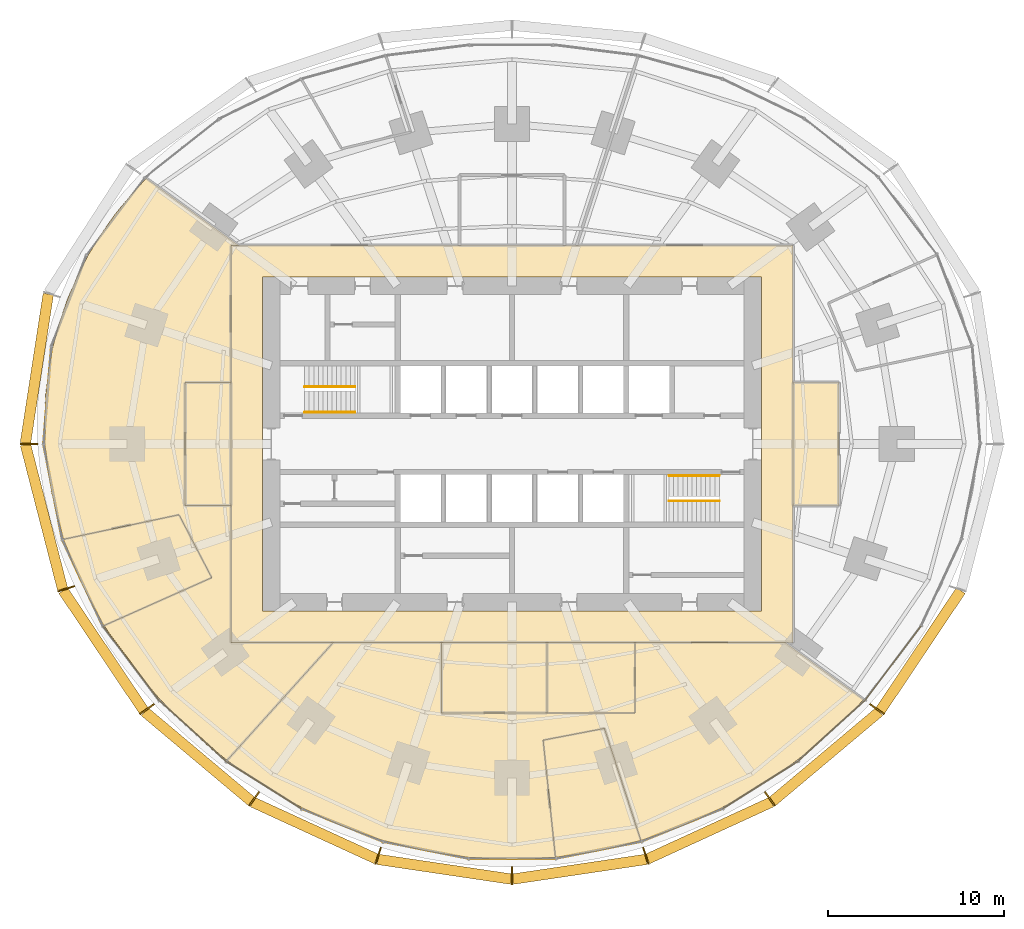
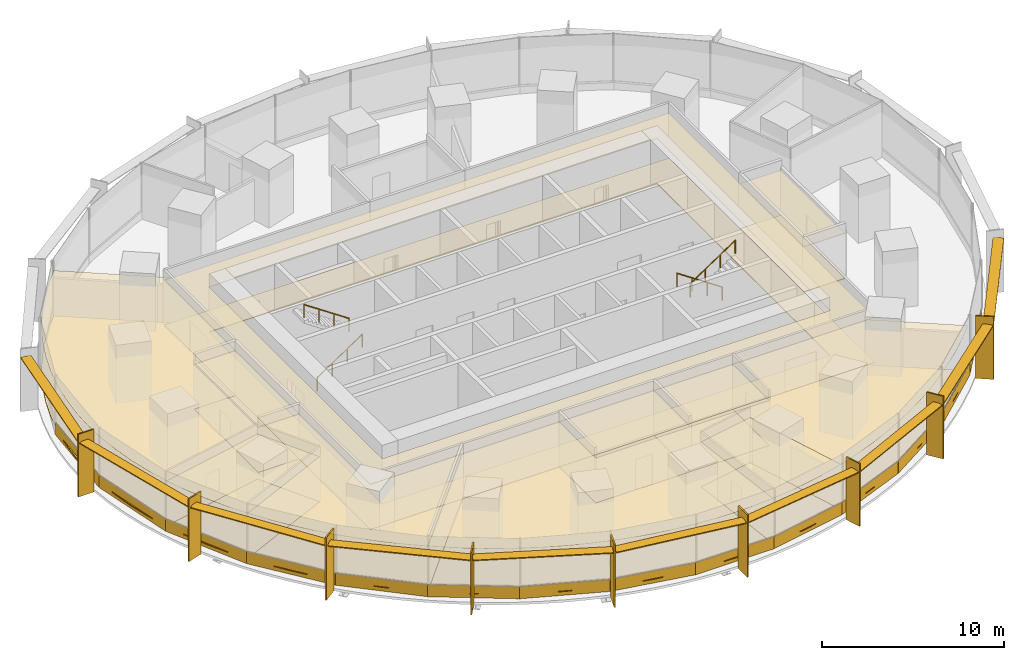
# One storey, part 14 of 15: 32 coverings, 19 shading devices, 4 railings.
"""IFC4 building model written with IfcOpenShell, lengths in metres."""

from ifc_helpers import new_model, si_unit, direction, frame, origin, origin_2d, place, context, subcontext, project, spatial, polyline, rectangle, circle, outline, extrude, material, layer, layer_set, type_object, element, save


model = new_model("IFC4")

# Units and contexts
model_context = context("Model", 3, precision=1e-05, world=origin(), true_north=direction((0.0, 1.0)))
body_context = subcontext(model_context, "Body", "Model", "MODEL_VIEW")
ifc_project = project(units=[si_unit("LENGTHUNIT", "METRE"), si_unit("AREAUNIT", "SQUARE_METRE"), si_unit("VOLUMEUNIT", "CUBIC_METRE"), si_unit("PLANEANGLEUNIT", "RADIAN"), si_unit("MASSUNIT", "GRAM", prefix="KILO")], contexts=[model_context])

# Site, building, storey
site_placement = place(None, origin())
site = spatial("IfcSite", under=ifc_project, at=site_placement, CompositionType="ELEMENT")
building_placement = place(site_placement, origin())
building = spatial("IfcBuilding", under=site, at=building_placement, Name="Marramba Exchange Tower", CompositionType="ELEMENT")
storey_placement = place(building_placement, frame((0.0, 0.0, 70.0)))
storey = spatial("IfcBuildingStorey", under=building, at=storey_placement, Name="L16", CompositionType="ELEMENT", Elevation=70.0)

# Shading devices
ifc_material_1 = material(Name="Aluminium blade, timber-look bronze finish", Category="wood")
ifc_layer_1 = layer(ifc_material_1, 0.080078125)
ifc_layer_set_1 = layer_set([ifc_layer_1], Name="Floor-edge blade 1000x80")
shading_device_type_1 = type_object("IfcShadingDeviceType", Name="Floor-edge blade 1000x80", PredefinedType="USERDEFINED", material=ifc_layer_set_1)
for number, where, z_axis, x_axis, name in (
    (1, (-27.5, 0.0, -0.16015625), (0.0, 0.0, 1.0), (-1.0, 0.0, 0.0), "Floor-edge blade FB1 L16 TC11"),
    (2, (-25.3740234375, -8.24462890625, -0.16015625), (0.0, 0.0, 1.0), (-0.951056516295, -0.309016994375, 0.0), "Floor-edge blade FB1 L16 TC12"),
    (3, (-20.773193359375, -15.092529296875, -0.16015625), (0.0, 0.0, 1.0), (-0.809016994375, -0.587785252292, 0.0), "Floor-edge blade FB1 L16 TC13"),
    (4, (-14.6787109375, -20.20361328125, -0.16015625), (0.0, 0.0, 1.0), (-0.587785252292, -0.809016994375, 0.0), "Floor-edge blade FB1 L16 TC14"),
    (5, (-7.61767578125, -23.444580078125, -0.16015625), (0.0, 0.0, 1.0), (-0.309016994375, -0.951056516295, 0.0), "Floor-edge blade FB1 L16 TC15"),
    (6, (0.0, -24.572021484375, -0.16015625), (0.0, 0.0, 1.0), (0.0, -1.0, 0.0), "Floor-edge blade FB1 L16 TC16"),
    (7, (7.61767578125, -23.444580078125, -0.16015625), (0.0, 0.0, 1.0), (0.309016994375, -0.951056516295, 0.0), "Floor-edge blade FB1 L16 TC17"),
    (8, (14.6787109375, -20.20361328125, -0.16015625), (0.0, 0.0, 1.0), (0.587785252292, -0.809016994375, 0.0), "Floor-edge blade FB1 L16 TC18"),
    (9, (20.773193359375, -15.092529296875, -0.16015625), (0.0, 0.0, 1.0), (0.809016994375, -0.587785252292, 0.0), "Floor-edge blade FB1 L16 TC19"),
):
    element("IfcShadingDevice", number, at=place(storey_placement, frame(where, z_axis=z_axis, x_axis=x_axis)), inside=storey, type_object=shading_device_type_1, Name=name, ObjectType="FIN", PredefinedType="USERDEFINED", context=body_context, shape_type="SweptSolid", body=[
        extrude(rectangle(XDim=1.0, YDim=0.080078125, at=origin_2d()), origin(), (0.0, 0.0, 1.0), 4.199951171875),
    ])

# Coverings
ifc_material_2 = material(Name="Steel raised access floor panels", Category="steel")
ifc_layer_2 = layer(ifc_material_2, 0.050048828125)
ifc_layer_set_2 = layer_set([ifc_layer_2], Name="Raised access floor 300")
covering_type_1 = type_object("IfcCoveringType", Name="Raised access floor 300", PredefinedType="FLOORING", material=ifc_layer_set_2)
covering_1_placement = place(storey_placement, frame((0.0, 0.0, 0.25)))
element("IfcCovering", 10, at=covering_1_placement, inside=storey, type_object=covering_type_1, Name="Raised access floor RAF1 L16 Trading Floor 2", PredefinedType="FLOORING", context=body_context, shape_type="SweptSolid", body=[
    extrude(outline(polyline([(-16.0, 3.5), (-18.60009765625, 3.5), (-18.60009765625, -3.5), (-16.0, -3.5), (-16.0, -11.300048828125), (-10.174560546875, -11.300048828125), (-16.21435546875, -18.0078125), (-17.213623046875, -17.213623046875), (-18.1826171875, -16.371826171875), (-19.119384765625, -15.482421875), (-20.020751953125, -14.5458984375), (-20.88427734375, -13.5625), (-21.7060546875, -12.531982421875), (-22.482177734375, -11.455322265625), (-23.208251953125, -10.3330078125), (-17.08740234375, -7.60791015625), (-18.952880859375, -4.028564453125), (-25.50634765625, -5.421630859375), (-25.9013671875, -4.102294921875), (-26.213623046875, -2.755126953125), (-26.43798828125, -1.385498046875), (-26.570068359375, 0.0), (-26.6064453125, 1.394287109375), (-26.544921875, 2.7900390625), (-26.3837890625, 4.1787109375), (-26.123291015625, 5.552734375), (-25.763916015625, 6.9033203125), (-25.30859375, 8.22314453125), (-24.76025390625, 9.50439453125), (-24.12353515625, 10.740478515625), (-23.40380859375, 11.9248046875), (-22.607177734375, 13.05224609375), (-21.740478515625, 14.118408203125), (-20.810791015625, 15.119873046875), (-16.409912109375, 11.922607421875), (-15.552978515625, 11.300048828125), (-16.0, 11.300048828125), (-16.0, 3.5)])), origin(), (0.0, 0.0, 1.0), 0.050048828125),
])
covering_2_placement = place(storey_placement, frame((0.0, 0.0, 0.25)))
element("IfcCovering", 11, at=covering_2_placement, inside=storey, type_object=covering_type_1, Name="Raised access floor RAF1 L16 Trading Floor 3", PredefinedType="FLOORING", context=body_context, shape_type="SweptSolid", body=[
    extrude(outline(polyline([(20.020751953125, -14.5458984375), (19.119384765625, -15.482421875), (18.1826171875, -16.371826171875), (17.213623046875, -17.213623046875), (16.21435546875, -18.0078125), (15.1865234375, -18.75390625), (14.132080078125, -19.451171875), (13.052490234375, -20.09912109375), (11.94921875, -20.69677734375), (10.82373046875, -21.242919921875), (9.677734375, -21.736328125), (8.512451171875, -22.17578125), (7.330078125, -22.56005859375), (5.259765625, -16.18798828125), (1.771728515625, -16.857177734375), (2.47216796875, -23.5205078125), (1.2373046875, -23.611572265625), (0.0, -23.64208984375), (-1.2373046875, -23.611572265625), (-2.47216796875, -23.5205078125), (-3.701416015625, -23.368896484375), (-4.92236328125, -23.15771484375), (-6.1328125, -22.8876953125), (-7.330078125, -22.56005859375), (-8.512451171875, -22.17578125), (-9.677734375, -21.736328125), (-10.82373046875, -21.242919921875), (-11.94921875, -20.69677734375), (-13.052490234375, -20.09912109375), (-14.132080078125, -19.451171875), (-15.1865234375, -18.75390625), (-16.21435546875, -18.0078125), (-10.174560546875, -11.300048828125), (-4.0, -11.300048828125), (-4.0, -15.300048828125), (2.0, -15.300048828125), (7.0, -15.300048828125), (7.0, -11.300048828125), (15.552978515625, -11.300048828125), (20.020751953125, -14.5458984375)])), origin(), (0.0, 0.0, 1.0), 0.050048828125),
])
covering_3_placement = place(storey_placement, frame((0.0, 0.0, 0.25)))
element("IfcCovering", 12, at=covering_3_placement, inside=storey, type_object=covering_type_1, Name="Raised access floor RAF1 L16 Corridor", PredefinedType="FLOORING", context=body_context, shape_type="SweptSolid", body=[
    extrude(outline(polyline([(-16.0, 11.300048828125), (16.0, 11.300048828125), (16.0, -11.300048828125), (-16.0, -11.300048828125), (-16.0, 11.300048828125)]), holes=[polyline([(-14.199951171875, 9.5), (-14.199951171875, -9.5), (14.199951171875, -9.5), (14.199951171875, 9.5), (-14.199951171875, 9.5)])]), origin(), (0.0, 0.0, 1.0), 0.050048828125),
])
covering_4_placement = place(storey_placement, frame((0.0, 0.0, 0.25)))
element("IfcCovering", 13, at=covering_4_placement, inside=storey, type_object=covering_type_1, Name="Raised access floor RAF1 L16 Firm Principal Office 2", PredefinedType="FLOORING", context=body_context, shape_type="SweptSolid", body=[
    extrude(outline(polyline([(-23.879150390625, -9.166259765625), (-24.489501953125, -7.95703125), (-24.8916015625, -7.0341796875), (-25.033935546875, -6.707763671875), (-25.50634765625, -5.421630859375), (-18.952880859375, -4.028564453125), (-17.08740234375, -7.60791015625), (-23.208251953125, -10.3330078125), (-23.879150390625, -9.166259765625)])), origin(), (0.0, 0.0, 1.0), 0.050048828125),
])
covering_5_placement = place(storey_placement, frame((0.0, 0.0, 0.25)))
element("IfcCovering", 14, at=covering_5_placement, inside=storey, type_object=covering_type_1, Name="Raised access floor RAF1 L16 Firm Principal Office 3", PredefinedType="FLOORING", context=body_context, shape_type="SweptSolid", body=[
    extrude(outline(polyline([(6.1328125, -22.8876953125), (5.89111328125, -22.941650390625), (4.92236328125, -23.15771484375), (4.17138671875, -23.28759765625), (3.701416015625, -23.368896484375), (2.47216796875, -23.5205078125), (1.771728515625, -16.857177734375), (5.259765625, -16.18798828125), (7.330078125, -22.56005859375), (6.1328125, -22.8876953125)])), origin(), (0.0, 0.0, 1.0), 0.050048828125),
])
covering_6_placement = place(storey_placement, frame((0.0, 0.0, 0.25)))
element("IfcCovering", 15, at=covering_6_placement, inside=storey, type_object=covering_type_1, Name="Raised access floor RAF1 L16 Data Room 1", PredefinedType="FLOORING", context=body_context, shape_type="SweptSolid", body=[
    extrude(outline(polyline([(18.60009765625, -3.5), (16.0, -3.5), (16.0, 3.5), (18.60009765625, 3.5), (18.60009765625, -3.5)])), origin(), (0.0, 0.0, 1.0), 0.050048828125),
])
covering_7_placement = place(storey_placement, frame((0.0, 0.0, 0.25)))
element("IfcCovering", 16, at=covering_7_placement, inside=storey, type_object=covering_type_1, Name="Raised access floor RAF1 L16 Data Room 2", PredefinedType="FLOORING", context=body_context, shape_type="SweptSolid", body=[
    extrude(outline(polyline([(-16.0, -3.5), (-18.60009765625, -3.5), (-18.60009765625, 3.5), (-16.0, 3.5), (-16.0, -3.5)])), origin(), (0.0, 0.0, 1.0), 0.050048828125),
])
covering_8_placement = place(storey_placement, frame((0.0, 0.0, 0.25)))
element("IfcCovering", 17, at=covering_8_placement, inside=storey, type_object=covering_type_1, Name="Raised access floor RAF1 L16 Meeting Room 2", PredefinedType="FLOORING", context=body_context, shape_type="SweptSolid", body=[
    extrude(outline(polyline([(2.0, -15.300048828125), (-4.0, -15.300048828125), (-4.0, -11.300048828125), (2.0, -11.300048828125), (2.0, -15.300048828125)])), origin(), (0.0, 0.0, 1.0), 0.050048828125),
])
covering_9_placement = place(storey_placement, frame((0.0, 0.0, 0.25)))
element("IfcCovering", 18, at=covering_9_placement, inside=storey, type_object=covering_type_1, Name="Raised access floor RAF1 L16 Pantry", PredefinedType="FLOORING", context=body_context, shape_type="SweptSolid", body=[
    extrude(outline(polyline([(7.0, -15.300048828125), (2.0, -15.300048828125), (2.0, -11.300048828125), (7.0, -11.300048828125), (7.0, -15.300048828125)])), origin(), (0.0, 0.0, 1.0), 0.050048828125),
])

# Shading devices
ifc_material_3 = material(Name="Aluminium sunshade, bronze anodised", Category="aluminium")
ifc_layer_3 = layer(ifc_material_3, 0.06005859375)
ifc_layer_set_3 = layer_set([ifc_layer_3], Name="SUNSHADE blade 600x60")
shading_device_type_2 = type_object("IfcShadingDeviceType", Name="SUNSHADE blade 600x60", PredefinedType="USERDEFINED", material=ifc_layer_set_3)
shading_device_1_placement = place(storey_placement, frame((-27.04150390625, 4.2861328125, 3.4599609375), z_axis=(0.0, 0.0, 1.0), x_axis=(-0.151825486228, -0.988407315701, 0.0)))
element("IfcShadingDevice", 19, at=shading_device_1_placement, inside=storey, type_object=shading_device_type_2, Name="Sunshade SS1 L16 bay 10", ObjectType="SUNSHADE", PredefinedType="USERDEFINED", context=body_context, shape_type="SweptSolid", body=[
    extrude(rectangle(XDim=8.593017578125, YDim=0.60009765625, at=origin_2d()), origin(), (0.0, 0.0, 1.0), 0.06005859375),
])
shading_device_2_placement = place(storey_placement, frame((-26.632080078125, -4.153076171875, 3.4599609375), z_axis=(0.0, 0.0, 1.0), x_axis=(0.249024641331, -0.968497149201, 0.0)))
element("IfcShadingDevice", 20, at=shading_device_2_placement, inside=storey, type_object=shading_device_type_2, Name="Sunshade SS1 L16 bay 11", ObjectType="SUNSHADE", PredefinedType="USERDEFINED", context=body_context, shape_type="SweptSolid", body=[
    extrude(rectangle(XDim=8.49658203125, YDim=0.60009765625, at=origin_2d()), origin(), (0.0, 0.0, 1.0), 0.06005859375),
])
shading_device_3_placement = place(storey_placement, frame((-23.24951171875, -11.75830078125, 3.4599609375), z_axis=(0.0, 0.0, 1.0), x_axis=(0.556924164761, -0.830563347798, 0.0)))
element("IfcShadingDevice", 21, at=shading_device_3_placement, inside=storey, type_object=shading_device_type_2, Name="Sunshade SS1 L16 bay 12", ObjectType="SUNSHADE", PredefinedType="USERDEFINED", context=body_context, shape_type="SweptSolid", body=[
    extrude(rectangle(XDim=8.232177734375, YDim=0.60009765625, at=origin_2d()), origin(), (0.0, 0.0, 1.0), 0.06005859375),
])
shading_device_4_placement = place(storey_placement, frame((-17.86572265625, -17.787841796875, 3.4599609375), z_axis=(0.0, 0.0, 1.0), x_axis=(0.765776068523, -0.643107310546, 0.0)))
element("IfcShadingDevice", 22, at=shading_device_4_placement, inside=storey, type_object=shading_device_type_2, Name="Sunshade SS1 L16 bay 13", ObjectType="SUNSHADE", PredefinedType="USERDEFINED", context=body_context, shape_type="SweptSolid", body=[
    extrude(rectangle(XDim=7.936279296875, YDim=0.60009765625, at=origin_2d()), origin(), (0.0, 0.0, 1.0), 0.06005859375),
])
shading_device_5_placement = place(storey_placement, frame((-11.23779296875, -22.0, 3.4599609375), z_axis=(0.0, 0.0, 1.0), x_axis=(0.908703542008, -0.417442059144, 0.0)))
element("IfcShadingDevice", 23, at=shading_device_5_placement, inside=storey, type_object=shading_device_type_2, Name="Sunshade SS1 L16 bay 14", ObjectType="SUNSHADE", PredefinedType="USERDEFINED", context=body_context, shape_type="SweptSolid", body=[
    extrude(rectangle(XDim=7.751953125, YDim=0.60009765625, at=origin_2d()), origin(), (0.0, 0.0, 1.0), 0.06005859375),
])
for number, where, z_axis, x_axis, name in (
    (24, (-3.839599609375, -24.203369140625, 3.4599609375), (0.0, 0.0, 1.0), (0.989212895923, -0.146484970356, 0.0), "Sunshade SS1 L16 bay 15"),
    (25, (3.839599609375, -24.203369140625, 3.4599609375), (0.0, 0.0, 1.0), (0.989212895923, 0.146484970356, 0.0), "Sunshade SS1 L16 bay 16"),
):
    element("IfcShadingDevice", number, at=place(storey_placement, frame(where, z_axis=z_axis, x_axis=x_axis)), inside=storey, type_object=shading_device_type_2, Name=name, ObjectType="SUNSHADE", PredefinedType="USERDEFINED", context=body_context, shape_type="SweptSolid", body=[
        extrude(rectangle(XDim=7.68310546875, YDim=0.60009765625, at=origin_2d()), origin(), (0.0, 0.0, 1.0), 0.06005859375),
    ])
shading_device_6_placement = place(storey_placement, frame((11.23779296875, -22.0, 3.4599609375), z_axis=(0.0, 0.0, 1.0), x_axis=(0.908703542008, 0.417442059144, 0.0)))
element("IfcShadingDevice", 26, at=shading_device_6_placement, inside=storey, type_object=shading_device_type_2, Name="Sunshade SS1 L16 bay 17", ObjectType="SUNSHADE", PredefinedType="USERDEFINED", context=body_context, shape_type="SweptSolid", body=[
    extrude(rectangle(XDim=7.751953125, YDim=0.60009765625, at=origin_2d()), origin(), (0.0, 0.0, 1.0), 0.06005859375),
])
shading_device_7_placement = place(storey_placement, frame((17.86572265625, -17.787841796875, 3.4599609375), z_axis=(0.0, 0.0, 1.0), x_axis=(0.765776068523, 0.643107310546, 0.0)))
element("IfcShadingDevice", 27, at=shading_device_7_placement, inside=storey, type_object=shading_device_type_2, Name="Sunshade SS1 L16 bay 18", ObjectType="SUNSHADE", PredefinedType="USERDEFINED", context=body_context, shape_type="SweptSolid", body=[
    extrude(rectangle(XDim=7.936279296875, YDim=0.60009765625, at=origin_2d()), origin(), (0.0, 0.0, 1.0), 0.06005859375),
])
shading_device_8_placement = place(storey_placement, frame((23.24951171875, -11.75830078125, 3.4599609375), z_axis=(0.0, 0.0, 1.0), x_axis=(0.556924164761, 0.830563347798, 0.0)))
element("IfcShadingDevice", 28, at=shading_device_8_placement, inside=storey, type_object=shading_device_type_2, Name="Sunshade SS1 L16 bay 19", ObjectType="SUNSHADE", PredefinedType="USERDEFINED", context=body_context, shape_type="SweptSolid", body=[
    extrude(rectangle(XDim=8.232177734375, YDim=0.60009765625, at=origin_2d()), origin(), (0.0, 0.0, 1.0), 0.06005859375),
])

# Coverings
ifc_material_4 = material(Name="Aluminium spandrel panel, bronze anodised, insulated", Category="aluminium")
ifc_layer_4 = layer(ifc_material_4, 0.050048828125)
ifc_layer_set_4 = layer_set([ifc_layer_4], Name="Spandrel panel 800")
covering_type_2 = type_object("IfcCoveringType", Name="Spandrel panel 800", PredefinedType="CLADDING", material=ifc_layer_set_4)
covering_10_placement = place(storey_placement, frame((-26.42578125, 2.78466796875, 0.0), z_axis=(0.0, 0.0, 1.0), x_axis=(-0.080275227657, -0.996772736297, 0.0)))
element("IfcCovering", 29, at=covering_10_placement, inside=storey, type_object=covering_type_2, Name="Spandrel panel SP1 L16 F15", PredefinedType="CLADDING", context=body_context, shape_type="SweptSolid", body=[
    extrude(rectangle(XDim=5.58740234375, YDim=0.050048828125, at=origin_2d()), origin(), (0.0, 0.0, 1.0), 0.800048828125),
])
covering_11_placement = place(storey_placement, frame((-26.117431640625, -2.718994140625, 0.0), z_axis=(0.0, 0.0, 1.0), x_axis=(0.19224858127, -0.981346260501, 0.0)))
element("IfcCovering", 30, at=covering_11_placement, inside=storey, type_object=covering_type_2, Name="Spandrel panel SP1 L16 F16", PredefinedType="CLADDING", context=body_context, shape_type="SweptSolid", body=[
    extrude(rectangle(XDim=5.54150390625, YDim=0.050048828125, at=origin_2d()), origin(), (0.0, 0.0, 1.0), 0.800048828125),
])
covering_12_placement = place(storey_placement, frame((-24.432861328125, -7.90185546875, 0.0), z_axis=(0.0, 0.0, 1.0), x_axis=(0.423477213559, -0.905906755464, 0.0)))
element("IfcCovering", 31, at=covering_12_placement, inside=storey, type_object=covering_type_2, Name="Spandrel panel SP1 L16 F17", PredefinedType="CLADDING", context=body_context, shape_type="SweptSolid", body=[
    extrude(rectangle(XDim=5.439208984375, YDim=0.050048828125, at=origin_2d()), origin(), (0.0, 0.0, 1.0), 0.800048828125),
])
covering_13_placement = place(storey_placement, frame((-21.683349609375, -12.479248046875, 0.0), z_axis=(0.0, 0.0, 1.0), x_axis=(0.603040469481, -0.797710594243, 0.0)))
element("IfcCovering", 32, at=covering_13_placement, inside=storey, type_object=covering_type_2, Name="Spandrel panel SP1 L16 F18", PredefinedType="CLADDING", context=body_context, shape_type="SweptSolid", body=[
    extrude(rectangle(XDim=5.299560546875, YDim=0.050048828125, at=origin_2d()), origin(), (0.0, 0.0, 1.0), 0.800048828125),
])
covering_14_placement = place(storey_placement, frame((-18.1767578125, -16.330078125, 0.0), z_axis=(0.0, 0.0, 1.0), x_axis=(0.739589582203, -0.673058132628, 0.0)))
element("IfcCovering", 33, at=covering_14_placement, inside=storey, type_object=covering_type_2, Name="Spandrel panel SP1 L16 F19", PredefinedType="CLADDING", context=body_context, shape_type="SweptSolid", body=[
    extrude(rectangle(XDim=5.161865234375, YDim=0.050048828125, at=origin_2d()), origin(), (0.0, 0.0, 1.0), 0.800048828125),
])
covering_15_placement = place(storey_placement, frame((-14.128662109375, -19.416748046875, 0.0), z_axis=(0.0, 0.0, 1.0), x_axis=(0.845790829799, -0.533514641062, 0.0)))
element("IfcCovering", 34, at=covering_15_placement, inside=storey, type_object=covering_type_2, Name="Spandrel panel SP1 L16 F20", PredefinedType="CLADDING", context=body_context, shape_type="SweptSolid", body=[
    extrude(rectangle(XDim=5.05859375, YDim=0.050048828125, at=origin_2d()), origin(), (0.0, 0.0, 1.0), 0.800048828125),
])
covering_16_placement = place(storey_placement, frame((-9.672119140625, -21.701171875, 0.0), z_axis=(0.0, 0.0, 1.0), x_axis=(0.927340675001, -0.374218215069, 0.0)))
element("IfcCovering", 35, at=covering_16_placement, inside=storey, type_object=covering_type_2, Name="Spandrel panel SP1 L16 F21", PredefinedType="CLADDING", context=body_context, shape_type="SweptSolid", body=[
    extrude(rectangle(XDim=4.99755859375, YDim=0.050048828125, at=origin_2d()), origin(), (0.0, 0.0, 1.0), 0.800048828125),
])
covering_17_placement = place(storey_placement, frame((-4.917724609375, -23.1181640625, 0.0), z_axis=(0.0, 0.0, 1.0), x_axis=(0.981009201842, -0.193961196898, 0.0)))
element("IfcCovering", 36, at=covering_17_placement, inside=storey, type_object=covering_type_2, Name="Spandrel panel SP1 L16 F22", PredefinedType="CLADDING", context=body_context, shape_type="SweptSolid", body=[
    extrude(rectangle(XDim=4.96875, YDim=0.050048828125, at=origin_2d()), origin(), (0.0, 0.0, 1.0), 0.800048828125),
])
covering_18_placement = place(storey_placement, frame((0.0, -23.599853515625, 0.0), z_axis=(0.0, 0.0, 1.0), x_axis=(1.0, 0.0, 0.0)))
element("IfcCovering", 37, at=covering_18_placement, inside=storey, type_object=covering_type_2, Name="Spandrel panel SP1 L16 F23", PredefinedType="CLADDING", context=body_context, shape_type="SweptSolid", body=[
    extrude(rectangle(XDim=4.9609375, YDim=0.050048828125, at=origin_2d()), origin(), (0.0, 0.0, 1.0), 0.800048828125),
])
covering_19_placement = place(storey_placement, frame((4.917724609375, -23.1181640625, 0.0), z_axis=(0.0, 0.0, 1.0), x_axis=(0.981009201842, 0.193961196898, 0.0)))
element("IfcCovering", 38, at=covering_19_placement, inside=storey, type_object=covering_type_2, Name="Spandrel panel SP1 L16 F24", PredefinedType="CLADDING", context=body_context, shape_type="SweptSolid", body=[
    extrude(rectangle(XDim=4.96875, YDim=0.050048828125, at=origin_2d()), origin(), (0.0, 0.0, 1.0), 0.800048828125),
])
covering_20_placement = place(storey_placement, frame((9.672119140625, -21.701171875, 0.0), z_axis=(0.0, 0.0, 1.0), x_axis=(0.927340675001, 0.374218215069, 0.0)))
element("IfcCovering", 39, at=covering_20_placement, inside=storey, type_object=covering_type_2, Name="Spandrel panel SP1 L16 F25", PredefinedType="CLADDING", context=body_context, shape_type="SweptSolid", body=[
    extrude(rectangle(XDim=4.99755859375, YDim=0.050048828125, at=origin_2d()), origin(), (0.0, 0.0, 1.0), 0.800048828125),
])
covering_21_placement = place(storey_placement, frame((14.128662109375, -19.416748046875, 0.0), z_axis=(0.0, 0.0, 1.0), x_axis=(0.845790829799, 0.533514641062, 0.0)))
element("IfcCovering", 40, at=covering_21_placement, inside=storey, type_object=covering_type_2, Name="Spandrel panel SP1 L16 F26", PredefinedType="CLADDING", context=body_context, shape_type="SweptSolid", body=[
    extrude(rectangle(XDim=5.05859375, YDim=0.050048828125, at=origin_2d()), origin(), (0.0, 0.0, 1.0), 0.800048828125),
])
covering_22_placement = place(storey_placement, frame((18.1767578125, -16.330078125, 0.0), z_axis=(0.0, 0.0, 1.0), x_axis=(0.739589582203, 0.673058132628, 0.0)))
element("IfcCovering", 41, at=covering_22_placement, inside=storey, type_object=covering_type_2, Name="Spandrel panel SP1 L16 F27", PredefinedType="CLADDING", context=body_context, shape_type="SweptSolid", body=[
    extrude(rectangle(XDim=5.161865234375, YDim=0.050048828125, at=origin_2d()), origin(), (0.0, 0.0, 1.0), 0.800048828125),
])
covering_23_placement = place(storey_placement, frame((21.683349609375, -12.479248046875, 0.0), z_axis=(0.0, 0.0, 1.0), x_axis=(0.603040469481, 0.797710594243, 0.0)))
element("IfcCovering", 42, at=covering_23_placement, inside=storey, type_object=covering_type_2, Name="Spandrel panel SP1 L16 F28", PredefinedType="CLADDING", context=body_context, shape_type="SweptSolid", body=[
    extrude(rectangle(XDim=5.299560546875, YDim=0.050048828125, at=origin_2d()), origin(), (0.0, 0.0, 1.0), 0.800048828125),
])

# Railings
ifc_material_5 = material(Name="Stainless steel handrail", Category="steel")
railing_type = type_object("IfcRailingType", Name="Stair handrail 900", PredefinedType="HANDRAIL", material=ifc_material_5)
railing_1_placement = place(storey_placement, frame((-11.800048828125, 1.800048828125, 0.175048828125)))
element("IfcRailing", 43, at=railing_1_placement, inside=storey, type_object=railing_type, Name="Handrail HR1 ST1 L16 flight 1", PredefinedType="HANDRAIL", context=body_context, shape_type="SweptSolid", body=[
    extrude(circle(Radius=0.02392578125, at=origin_2d()), frame((0.0, 0.0, 0.8759765625), z_axis=(0.829590901723, 0.0, 0.558371682465), x_axis=(0.0, 1.0, 0.0)), (0.0, 0.0, 1.0), 3.447509765625),
    extrude(circle(Radius=0.02099609375, at=origin_2d()), origin(), (0.0, 0.0, 1.0), 0.851806640625),
    extrude(circle(Radius=0.02099609375, at=origin_2d()), frame((0.953369140625, 0.0, 0.6416015625)), (0.0, 0.0, 1.0), 0.851806640625),
    extrude(circle(Radius=0.02099609375, at=origin_2d()), frame((1.90673828125, 0.0, 1.283447265625)), (0.0, 0.0, 1.0), 0.851806640625),
    extrude(circle(Radius=0.02099609375, at=origin_2d()), frame((2.860107421875, 0.0, 1.925048828125)), (0.0, 0.0, 1.0), 0.851806640625),
])
for number, where, name in (
    (44, (-8.93994140625, 3.25, 2.27490234375), "Handrail HR1 ST1 L16 flight 2"),
    (45, (11.800048828125, -1.800048828125, 0.175048828125), "Handrail HR1 ST2 L16 flight 1"),
):
    element("IfcRailing", number, at=place(storey_placement, frame(where)), inside=storey, type_object=railing_type, Name=name, PredefinedType="HANDRAIL", context=body_context, shape_type="SweptSolid", body=[
        extrude(circle(Radius=0.02392578125, at=origin_2d()), frame((0.0, 0.0, 0.8759765625), z_axis=(-0.829590901723, 0.0, 0.558371682465), x_axis=(0.0, -1.0, 0.0)), (0.0, 0.0, 1.0), 3.447509765625),
        extrude(circle(Radius=0.02099609375, at=origin_2d()), origin(), (0.0, 0.0, 1.0), 0.851806640625),
        extrude(circle(Radius=0.02099609375, at=origin_2d()), frame((-0.953369140625, 0.0, 0.6416015625)), (0.0, 0.0, 1.0), 0.851806640625),
        extrude(circle(Radius=0.02099609375, at=origin_2d()), frame((-1.90673828125, 0.0, 1.283447265625)), (0.0, 0.0, 1.0), 0.851806640625),
        extrude(circle(Radius=0.02099609375, at=origin_2d()), frame((-2.860107421875, 0.0, 1.925048828125)), (0.0, 0.0, 1.0), 0.851806640625),
    ])
railing_2_placement = place(storey_placement, frame((8.93994140625, -3.25, 2.27490234375)))
element("IfcRailing", 46, at=railing_2_placement, inside=storey, type_object=railing_type, Name="Handrail HR1 ST2 L16 flight 2", PredefinedType="HANDRAIL", context=body_context, shape_type="SweptSolid", body=[
    extrude(circle(Radius=0.02392578125, at=origin_2d()), frame((0.0, 0.0, 0.8759765625), z_axis=(0.829590901723, 0.0, 0.558371682465), x_axis=(0.0, 1.0, 0.0)), (0.0, 0.0, 1.0), 3.447509765625),
    extrude(circle(Radius=0.02099609375, at=origin_2d()), origin(), (0.0, 0.0, 1.0), 0.851806640625),
    extrude(circle(Radius=0.02099609375, at=origin_2d()), frame((0.953369140625, 0.0, 0.6416015625)), (0.0, 0.0, 1.0), 0.851806640625),
    extrude(circle(Radius=0.02099609375, at=origin_2d()), frame((1.90673828125, 0.0, 1.283447265625)), (0.0, 0.0, 1.0), 0.851806640625),
    extrude(circle(Radius=0.02099609375, at=origin_2d()), frame((2.860107421875, 0.0, 1.925048828125)), (0.0, 0.0, 1.0), 0.851806640625),
])

# Coverings
ifc_material_6 = material(Name="Mineral fibre ceiling tiles", Category="gypsum")
ifc_layer_5 = layer(ifc_material_6, 0.02001953125)
ifc_layer_set_5 = layer_set([ifc_layer_5], Name="Suspended ceiling 20")
covering_type_3 = type_object("IfcCoveringType", Name="Suspended ceiling 20", PredefinedType="CEILING", material=ifc_layer_set_5)
covering_24_placement = place(storey_placement, frame((0.0, 0.0, 3.300048828125)))
element("IfcCovering", 47, at=covering_24_placement, inside=storey, type_object=covering_type_3, Name="Ceiling CL1 L16 Trading Floor 2", PredefinedType="CEILING", context=body_context, shape_type="SweptSolid", body=[
    extrude(outline(polyline([(-16.0, 3.5), (-18.60009765625, 3.5), (-18.60009765625, -3.5), (-16.0, -3.5), (-16.0, -11.300048828125), (-10.174560546875, -11.300048828125), (-16.21435546875, -18.0078125), (-17.213623046875, -17.213623046875), (-18.1826171875, -16.371826171875), (-19.119384765625, -15.482421875), (-20.020751953125, -14.5458984375), (-20.88427734375, -13.5625), (-21.7060546875, -12.531982421875), (-22.482177734375, -11.455322265625), (-23.208251953125, -10.3330078125), (-17.08740234375, -7.60791015625), (-18.952880859375, -4.028564453125), (-25.50634765625, -5.421630859375), (-25.9013671875, -4.102294921875), (-26.213623046875, -2.755126953125), (-26.43798828125, -1.385498046875), (-26.570068359375, 0.0), (-26.6064453125, 1.394287109375), (-26.544921875, 2.7900390625), (-26.3837890625, 4.1787109375), (-26.123291015625, 5.552734375), (-25.763916015625, 6.9033203125), (-25.30859375, 8.22314453125), (-24.76025390625, 9.50439453125), (-24.12353515625, 10.740478515625), (-23.40380859375, 11.9248046875), (-22.607177734375, 13.05224609375), (-21.740478515625, 14.118408203125), (-20.810791015625, 15.119873046875), (-16.409912109375, 11.922607421875), (-15.552978515625, 11.300048828125), (-16.0, 11.300048828125), (-16.0, 3.5)])), origin(), (0.0, 0.0, 1.0), 0.02001953125),
])
covering_25_placement = place(storey_placement, frame((0.0, 0.0, 3.300048828125)))
element("IfcCovering", 48, at=covering_25_placement, inside=storey, type_object=covering_type_3, Name="Ceiling CL1 L16 Trading Floor 3", PredefinedType="CEILING", context=body_context, shape_type="SweptSolid", body=[
    extrude(outline(polyline([(20.020751953125, -14.5458984375), (19.119384765625, -15.482421875), (18.1826171875, -16.371826171875), (17.213623046875, -17.213623046875), (16.21435546875, -18.0078125), (15.1865234375, -18.75390625), (14.132080078125, -19.451171875), (13.052490234375, -20.09912109375), (11.94921875, -20.69677734375), (10.82373046875, -21.242919921875), (9.677734375, -21.736328125), (8.512451171875, -22.17578125), (7.330078125, -22.56005859375), (5.259765625, -16.18798828125), (1.771728515625, -16.857177734375), (2.47216796875, -23.5205078125), (1.2373046875, -23.611572265625), (0.0, -23.64208984375), (-1.2373046875, -23.611572265625), (-2.47216796875, -23.5205078125), (-3.701416015625, -23.368896484375), (-4.92236328125, -23.15771484375), (-6.1328125, -22.8876953125), (-7.330078125, -22.56005859375), (-8.512451171875, -22.17578125), (-9.677734375, -21.736328125), (-10.82373046875, -21.242919921875), (-11.94921875, -20.69677734375), (-13.052490234375, -20.09912109375), (-14.132080078125, -19.451171875), (-15.1865234375, -18.75390625), (-16.21435546875, -18.0078125), (-10.174560546875, -11.300048828125), (-4.0, -11.300048828125), (-4.0, -15.300048828125), (2.0, -15.300048828125), (7.0, -15.300048828125), (7.0, -11.300048828125), (15.552978515625, -11.300048828125), (20.020751953125, -14.5458984375)])), origin(), (0.0, 0.0, 1.0), 0.02001953125),
])
covering_26_placement = place(storey_placement, frame((0.0, 0.0, 3.300048828125)))
element("IfcCovering", 49, at=covering_26_placement, inside=storey, type_object=covering_type_3, Name="Ceiling CL1 L16 Corridor", PredefinedType="CEILING", context=body_context, shape_type="SweptSolid", body=[
    extrude(outline(polyline([(-16.0, 11.300048828125), (16.0, 11.300048828125), (16.0, -11.300048828125), (-16.0, -11.300048828125), (-16.0, 11.300048828125)]), holes=[polyline([(-14.199951171875, 9.5), (-14.199951171875, -9.5), (14.199951171875, -9.5), (14.199951171875, 9.5), (-14.199951171875, 9.5)])]), origin(), (0.0, 0.0, 1.0), 0.02001953125),
])
covering_27_placement = place(storey_placement, frame((0.0, 0.0, 3.300048828125)))
element("IfcCovering", 50, at=covering_27_placement, inside=storey, type_object=covering_type_3, Name="Ceiling CL1 L16 Firm Principal Office 2", PredefinedType="CEILING", context=body_context, shape_type="SweptSolid", body=[
    extrude(outline(polyline([(-23.879150390625, -9.166259765625), (-24.489501953125, -7.95703125), (-24.8916015625, -7.0341796875), (-25.033935546875, -6.707763671875), (-25.50634765625, -5.421630859375), (-18.952880859375, -4.028564453125), (-17.08740234375, -7.60791015625), (-23.208251953125, -10.3330078125), (-23.879150390625, -9.166259765625)])), origin(), (0.0, 0.0, 1.0), 0.02001953125),
])
covering_28_placement = place(storey_placement, frame((0.0, 0.0, 3.300048828125)))
element("IfcCovering", 51, at=covering_28_placement, inside=storey, type_object=covering_type_3, Name="Ceiling CL1 L16 Firm Principal Office 3", PredefinedType="CEILING", context=body_context, shape_type="SweptSolid", body=[
    extrude(outline(polyline([(6.1328125, -22.8876953125), (5.89111328125, -22.941650390625), (4.92236328125, -23.15771484375), (4.17138671875, -23.28759765625), (3.701416015625, -23.368896484375), (2.47216796875, -23.5205078125), (1.771728515625, -16.857177734375), (5.259765625, -16.18798828125), (7.330078125, -22.56005859375), (6.1328125, -22.8876953125)])), origin(), (0.0, 0.0, 1.0), 0.02001953125),
])
covering_29_placement = place(storey_placement, frame((0.0, 0.0, 3.300048828125)))
element("IfcCovering", 52, at=covering_29_placement, inside=storey, type_object=covering_type_3, Name="Ceiling CL1 L16 Data Room 1", PredefinedType="CEILING", context=body_context, shape_type="SweptSolid", body=[
    extrude(outline(polyline([(18.60009765625, -3.5), (16.0, -3.5), (16.0, 3.5), (18.60009765625, 3.5), (18.60009765625, -3.5)])), origin(), (0.0, 0.0, 1.0), 0.02001953125),
])
covering_30_placement = place(storey_placement, frame((0.0, 0.0, 3.300048828125)))
element("IfcCovering", 53, at=covering_30_placement, inside=storey, type_object=covering_type_3, Name="Ceiling CL1 L16 Data Room 2", PredefinedType="CEILING", context=body_context, shape_type="SweptSolid", body=[
    extrude(outline(polyline([(-16.0, -3.5), (-18.60009765625, -3.5), (-18.60009765625, 3.5), (-16.0, 3.5), (-16.0, -3.5)])), origin(), (0.0, 0.0, 1.0), 0.02001953125),
])
covering_31_placement = place(storey_placement, frame((0.0, 0.0, 3.300048828125)))
element("IfcCovering", 54, at=covering_31_placement, inside=storey, type_object=covering_type_3, Name="Ceiling CL1 L16 Meeting Room 2", PredefinedType="CEILING", context=body_context, shape_type="SweptSolid", body=[
    extrude(outline(polyline([(2.0, -15.300048828125), (-4.0, -15.300048828125), (-4.0, -11.300048828125), (2.0, -11.300048828125), (2.0, -15.300048828125)])), origin(), (0.0, 0.0, 1.0), 0.02001953125),
])
covering_32_placement = place(storey_placement, frame((0.0, 0.0, 3.300048828125)))
element("IfcCovering", 55, at=covering_32_placement, inside=storey, type_object=covering_type_3, Name="Ceiling CL1 L16 Pantry", PredefinedType="CEILING", context=body_context, shape_type="SweptSolid", body=[
    extrude(outline(polyline([(7.0, -15.300048828125), (2.0, -15.300048828125), (2.0, -11.300048828125), (7.0, -11.300048828125), (7.0, -15.300048828125)])), origin(), (0.0, 0.0, 1.0), 0.02001953125),
])

save(model, "model.ifc")
